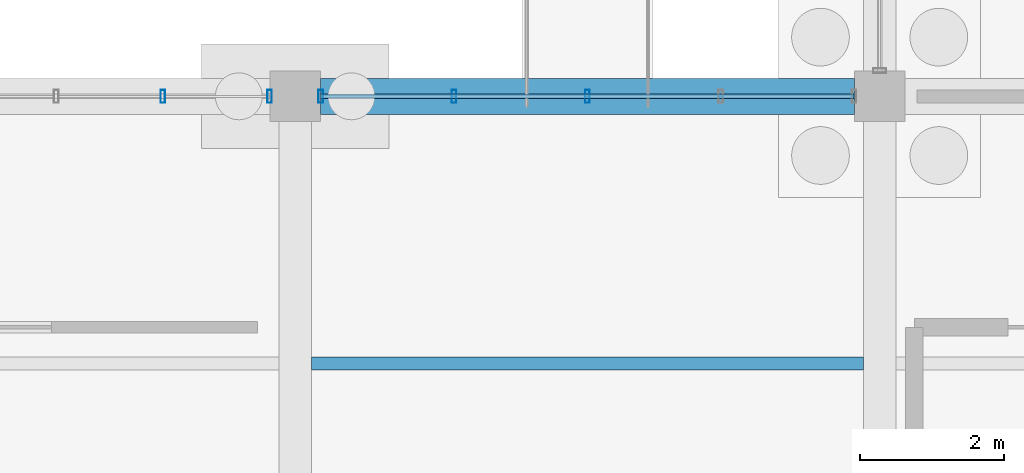
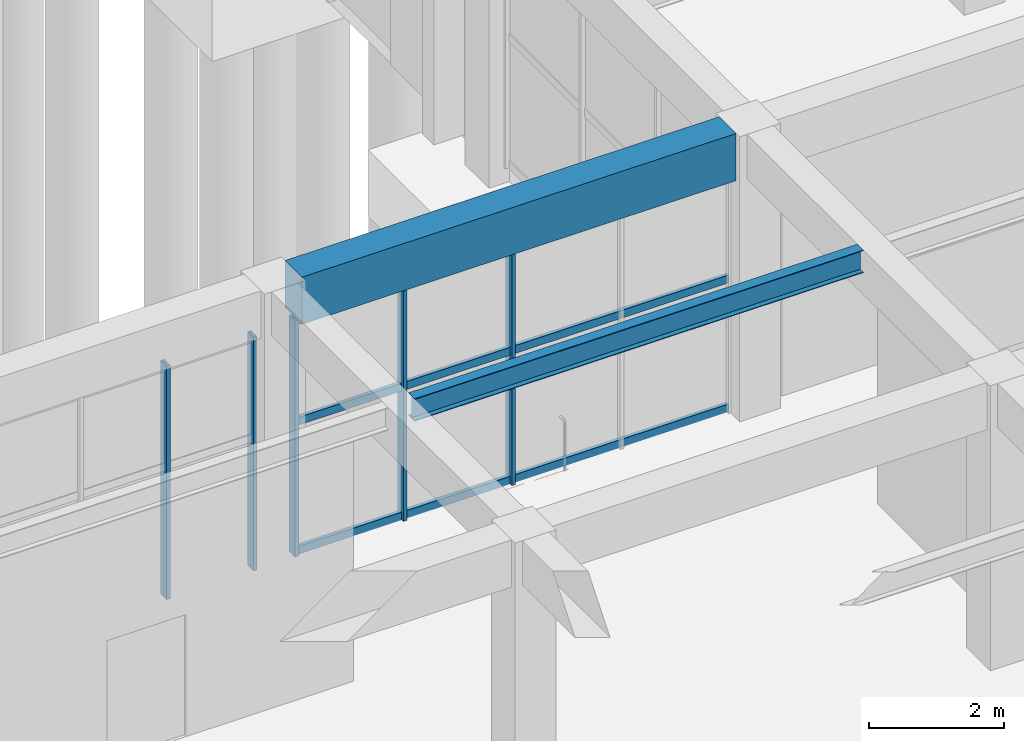
# One storey, part 92 of 140: 8 members, 2 beams, 2 elements without a shape of their own.
"""IFC4 building model written with IfcOpenShell, lengths in metres."""

from ifc_helpers import new_model, si_unit, direction, frame, origin, origin_2d, place, context, subcontext, project, spatial, rectangle, hollow_rectangle, i_section, extrude, material, material_profile, profile_set, type_object, element, aggregate, save


model = new_model("IFC4")

# Units and contexts
model_context = context("Model", 3, precision=1e-05, world=origin(), true_north=direction((0.0, 1.0)))
body_context = subcontext(model_context, "Body", "Model", "MODEL_VIEW")
ifc_project = project(units=[si_unit("LENGTHUNIT", "METRE"), si_unit("AREAUNIT", "SQUARE_METRE"), si_unit("VOLUMEUNIT", "CUBIC_METRE"), si_unit("PLANEANGLEUNIT", "RADIAN"), si_unit("MASSUNIT", "GRAM", prefix="KILO")], contexts=[model_context])

# Site, building, storey
site_placement = place(None, origin())
site = spatial("IfcSite", under=ifc_project, at=site_placement, CompositionType="ELEMENT")
building_placement = place(site_placement, origin())
building = spatial("IfcBuilding", under=site, at=building_placement, Name="Cimatlan Art Gallery", CompositionType="ELEMENT")
storey_placement = place(building_placement, origin())
storey = spatial("IfcBuildingStorey", under=building, at=storey_placement, Name="L00", CompositionType="ELEMENT", Elevation=0.0)

# Beams
ifc_material_1 = material(Name="Concrete C40/50", Category="concrete")
ifc_material_profile_1 = material_profile(ifc_material_1, rectangle(XDim=0.5, YDim=0.85009765625, at=origin_2d()), Name="RC500X850")
ifc_profile_set_1 = profile_set([ifc_material_profile_1], Name="Concrete C40/50")
beam_type_1 = type_object("IfcBeamType", Name="BM-RC-500X850", PredefinedType="BEAM", material=ifc_profile_set_1)
beam_1_placement = place(storey_placement, frame((140.050048828125, 38.699951171875, 4.7099609375), z_axis=(1.0, 0.0, 0.0), x_axis=(0.0, 1.0, 0.0)))
element("IfcBeam", 1, at=beam_1_placement, inside=storey, type_object=beam_type_1, Name="BM-X-L00-17-05", PredefinedType="BEAM", context=body_context, shape_type="SweptSolid", body=[
    extrude(rectangle(XDim=0.5, YDim=0.85009765625, at=origin_2d()), origin(), (0.0, 0.0, 1.0), 7.39990234375),
])
ifc_material_2 = material(Name="Steel ASTM A992 Grade 50", Category="steel")
ifc_material_profile_2 = material_profile(ifc_material_2, i_section(OverallWidth=0.177978515625, OverallDepth=0.406982421875, WebThickness=0.0078125, FlangeThickness=0.0126953125, at=origin_2d()), Name="W16X40")
ifc_profile_set_2 = profile_set([ifc_material_profile_2], Name="Steel ASTM A992 Grade 50")
beam_type_2 = type_object("IfcBeamType", Name="BM-STL-W16X40", PredefinedType="JOIST", material=ifc_profile_set_2)
beam_2_placement = place(storey_placement, frame((139.925048828125, 35.0, 4.931396484375), z_axis=(1.0, 0.0, 0.0), x_axis=(0.0, 1.0, 0.0)))
element("IfcBeam", 2, at=beam_2_placement, inside=storey, type_object=beam_type_2, Name="JST-L00-17-04", PredefinedType="JOIST", context=body_context, shape_type="SweptSolid", body=[
    extrude(i_section(OverallWidth=0.177978515625, OverallDepth=0.406982421875, WebThickness=0.0078125, FlangeThickness=0.0126953125, at=origin_2d()), origin(), (0.0, 0.0, 1.0), 7.64990234375),
])

# Curtain wall, members
ifc_material_3 = material(Name="Anodised bronze unitised curtain wall")
curtain_wall_type_1 = type_object("IfcCurtainWallType", Name="CW-V-07392X04210-B5", PredefinedType="NOTDEFINED", material=ifc_material_3)
curtain_wall_1_placement = place(storey_placement, origin())
curtain_wall_1 = element("IfcCurtainWall", 3, at=curtain_wall_1_placement, inside=storey, type_object=curtain_wall_type_1, Name="CW-L00-16-04-N", PredefinedType="NOTDEFINED")
ifc_material_4 = material(Name="Anodised bronze aluminium 6063-T6", Category="aluminium")
ifc_material_profile_3 = material_profile(ifc_material_4, hollow_rectangle(XDim=0.06494140625, YDim=0.179931640625, WallThickness=0.00390625, at=origin_2d()), Name="ALU65X180X4")
ifc_profile_set_3 = profile_set([ifc_material_profile_3], Name="Anodised bronze aluminium 6063-T6")
member_type_1 = type_object("IfcMemberType", Name="CW-MUL-180", PredefinedType="MULLION", material=ifc_profile_set_3)
member_1_placement = place(storey_placement, frame((137.86767578125, 38.699951171875, 0.0), z_axis=(0.0, 0.0, 1.0), x_axis=(1.0, 0.0, 0.0)))
member_1 = element("IfcMember", 4, at=member_1_placement, type_object=member_type_1, Name="CW-L00-16-04-N-M5", PredefinedType="MULLION", context=body_context, shape_type="SweptSolid", body=[
    extrude(hollow_rectangle(XDim=0.06494140625, YDim=0.179931640625, WallThickness=0.00390625, at=origin_2d()), origin(), (0.0, 0.0, 1.0), 4.2099609375),
])
member_2_placement = place(storey_placement, frame((139.345947265625, 38.699951171875, 0.0), z_axis=(0.0, 0.0, 1.0), x_axis=(1.0, 0.0, 0.0)))
member_2 = element("IfcMember", 5, at=member_2_placement, type_object=member_type_1, Name="CW-L00-16-04-N-M6", PredefinedType="MULLION", context=body_context, shape_type="SweptSolid", body=[
    extrude(hollow_rectangle(XDim=0.06494140625, YDim=0.179931640625, WallThickness=0.00390625, at=origin_2d()), origin(), (0.0, 0.0, 1.0), 4.2099609375),
])
aggregate(curtain_wall_1, [member_1, member_2])

curtain_wall_type_2 = type_object("IfcCurtainWallType", Name="CW-V-07392X04255-B4", PredefinedType="NOTDEFINED", material=ifc_material_3)
curtain_wall_2_placement = place(storey_placement, origin())
curtain_wall_2 = element("IfcCurtainWall", 6, at=curtain_wall_2_placement, inside=storey, type_object=curtain_wall_type_2, Name="CW-L00-17-04-N", PredefinedType="NOTDEFINED")
member_3_placement = place(storey_placement, frame((140.053955078125, 38.699951171875, 0.0), z_axis=(0.0, 0.0, 1.0), x_axis=(1.0, 0.0, 0.0)))
member_3 = element("IfcMember", 7, at=member_3_placement, type_object=member_type_1, Name="CW-L00-17-04-N-M1", PredefinedType="MULLION", context=body_context, shape_type="SweptSolid", body=[
    extrude(hollow_rectangle(XDim=0.06494140625, YDim=0.179931640625, WallThickness=0.00390625, at=origin_2d()), origin(), (0.0, 0.0, 1.0), 4.2548828125),
])
member_4_placement = place(storey_placement, frame((141.902099609375, 38.699951171875, 0.0), z_axis=(0.0, 0.0, 1.0), x_axis=(1.0, 0.0, 0.0)))
member_4 = element("IfcMember", 8, at=member_4_placement, type_object=member_type_1, Name="CW-L00-17-04-N-M2", PredefinedType="MULLION", context=body_context, shape_type="SweptSolid", body=[
    extrude(hollow_rectangle(XDim=0.06494140625, YDim=0.179931640625, WallThickness=0.00390625, at=origin_2d()), origin(), (0.0, 0.0, 1.0), 4.2548828125),
])
member_5_placement = place(storey_placement, frame((143.75, 38.699951171875, 0.0), z_axis=(0.0, 0.0, 1.0), x_axis=(1.0, 0.0, 0.0)))
member_5 = element("IfcMember", 9, at=member_5_placement, type_object=member_type_1, Name="CW-L00-17-04-N-M3", PredefinedType="MULLION", context=body_context, shape_type="SweptSolid", body=[
    extrude(hollow_rectangle(XDim=0.06494140625, YDim=0.179931640625, WallThickness=0.00390625, at=origin_2d()), origin(), (0.0, 0.0, 1.0), 4.2548828125),
])
ifc_material_profile_4 = material_profile(ifc_material_4, hollow_rectangle(XDim=0.06494140625, YDim=0.139892578125, WallThickness=0.00390625, at=origin_2d()), Name="ALU65X140X4")
ifc_profile_set_4 = profile_set([ifc_material_profile_4], Name="Anodised bronze aluminium 6063-T6")
member_type_2 = type_object("IfcMemberType", Name="CW-TRN-140", PredefinedType="USERDEFINED", material=ifc_profile_set_4)
member_6_placement = place(storey_placement, frame((140.053955078125, 38.699951171875, 0.06005859375), z_axis=(1.0, 0.0, 0.0), x_axis=(0.0, 1.0, 0.0)))
member_6 = element("IfcMember", 10, at=member_6_placement, type_object=member_type_2, Name="CW-L00-17-04-N-T1", ObjectType="TRANSOM", PredefinedType="USERDEFINED", context=body_context, shape_type="SweptSolid", body=[
    extrude(hollow_rectangle(XDim=0.06494140625, YDim=0.139892578125, WallThickness=0.00390625, at=origin_2d()), origin(), (0.0, 0.0, 1.0), 7.39208984375),
])
member_7_placement = place(storey_placement, frame((140.053955078125, 38.699951171875, 2.3828125), z_axis=(1.0, 0.0, 0.0), x_axis=(0.0, 1.0, 0.0)))
member_7 = element("IfcMember", 11, at=member_7_placement, type_object=member_type_2, Name="CW-L00-17-04-N-T2", ObjectType="TRANSOM", PredefinedType="USERDEFINED", context=body_context, shape_type="SweptSolid", body=[
    extrude(hollow_rectangle(XDim=0.06494140625, YDim=0.139892578125, WallThickness=0.00390625, at=origin_2d()), origin(), (0.0, 0.0, 1.0), 7.39208984375),
])
member_8_placement = place(storey_placement, frame((140.053955078125, 38.699951171875, 4.195068359375), z_axis=(1.0, 0.0, 0.0), x_axis=(0.0, 1.0, 0.0)))
member_8 = element("IfcMember", 12, at=member_8_placement, type_object=member_type_2, Name="CW-L00-17-04-N-T3", ObjectType="TRANSOM", PredefinedType="USERDEFINED", context=body_context, shape_type="SweptSolid", body=[
    extrude(hollow_rectangle(XDim=0.06494140625, YDim=0.139892578125, WallThickness=0.00390625, at=origin_2d()), origin(), (0.0, 0.0, 1.0), 7.39208984375),
])
aggregate(curtain_wall_2, [member_3, member_4, member_5, member_6, member_7, member_8])

save(model, "model.ifc")
